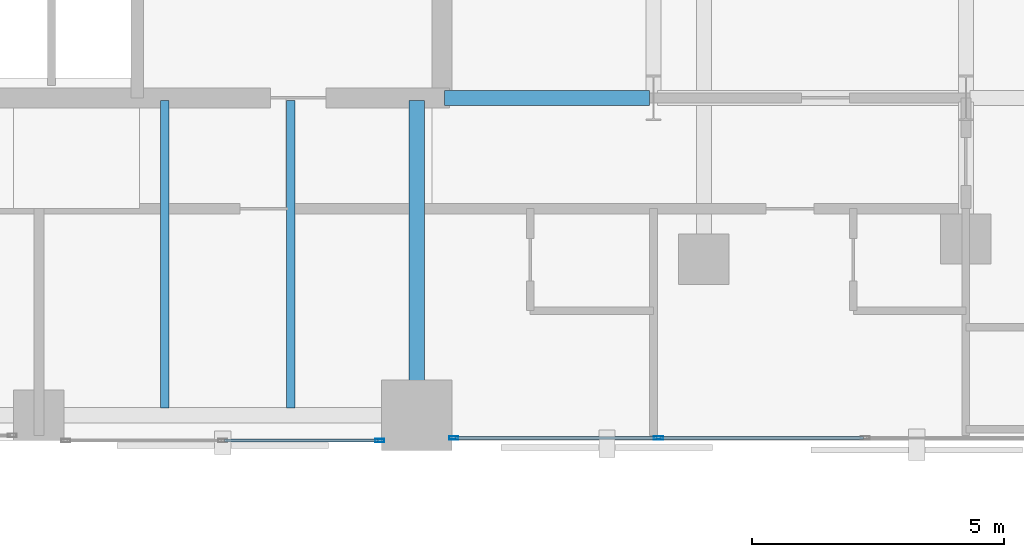
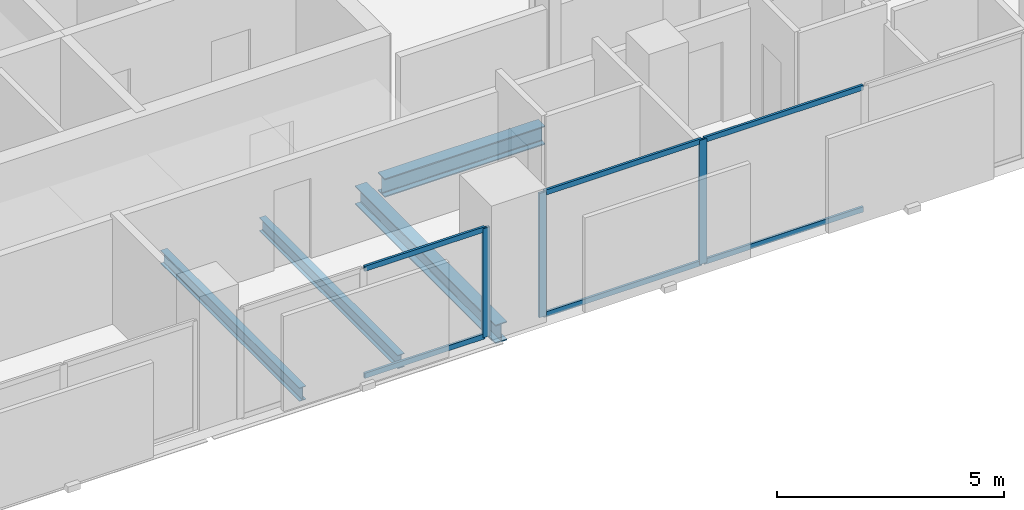
# One storey, part 14 of 31: 9 members, 4 beams, 2 elements without a shape of their own.
"""IFC4 building model written with IfcOpenShell, lengths in metres."""

from ifc_helpers import new_model, si_unit, direction, frame, origin, origin_2d, place, context, subcontext, project, spatial, hollow_rectangle, i_section, extrude, material, layer, layer_set, material_profile, profile_set, type_object, element, aggregate, save


model = new_model("IFC4")

# Units and contexts
model_context = context("Model", 3, precision=1e-05, world=origin(), true_north=direction((0.0, 1.0)))
body_context = subcontext(model_context, "Body", "Model", "MODEL_VIEW")
ifc_project = project(units=[si_unit("LENGTHUNIT", "METRE"), si_unit("AREAUNIT", "SQUARE_METRE"), si_unit("VOLUMEUNIT", "CUBIC_METRE"), si_unit("PLANEANGLEUNIT", "RADIAN"), si_unit("MASSUNIT", "GRAM", prefix="KILO")], contexts=[model_context])

# Site, building, storey
site_placement = place(None, origin())
site = spatial("IfcSite", under=ifc_project, at=site_placement, CompositionType="ELEMENT")
building_placement = place(site_placement, origin())
building = spatial("IfcBuilding", under=site, at=building_placement, Name="Catumbela Crestline Tower", CompositionType="ELEMENT")
storey_placement = place(building_placement, frame((0.0, 0.0, 40.2)))
storey = spatial("IfcBuildingStorey", under=building, at=storey_placement, Name="L09", CompositionType="ELEMENT", Elevation=40.2)

# Beams
ifc_material_1 = material(Name="Structural steel S355J2", Category="steel")
ifc_material_profile_1 = material_profile(ifc_material_1, i_section(OverallWidth=0.3, OverallDepth=0.5, WebThickness=0.0145, FlangeThickness=0.028, FilletRadius=0.027, at=origin_2d()), Name="HEB 500")
ifc_profile_set_1 = profile_set([ifc_material_profile_1], Name="Structural steel S355J2")
beam_type_1 = type_object("IfcBeamType", Name="BG-HEB500", PredefinedType="BEAM", material=ifc_profile_set_1)
beam_1_placement = place(storey_placement, frame((40.05, 30.8, -0.51), z_axis=(1.0, 0.0, 0.0), x_axis=(0.0, 1.0, 0.0)))
element("IfcBeam", 1, at=beam_1_placement, inside=storey, type_object=beam_type_1, Name="L09 Beam BM-L09-M10", PredefinedType="BEAM", context=body_context, shape_type="SweptSolid", body=[
    extrude(i_section(OverallWidth=0.3, OverallDepth=0.5, WebThickness=0.0145, FlangeThickness=0.028, FilletRadius=0.027, at=origin_2d()), origin(), (0.0, 0.0, 1.0), 4.07),
])
beam_2_placement = place(storey_placement, frame((39.5, 24.58, -0.51), z_axis=(0.0, 1.0, 0.0), x_axis=(-1.0, 0.0, 0.0)))
element("IfcBeam", 2, at=beam_2_placement, inside=storey, type_object=beam_type_1, Name="L09 Beam BM-L09-SNS34", PredefinedType="BEAM", context=body_context, shape_type="SweptSolid", body=[
    extrude(i_section(OverallWidth=0.3, OverallDepth=0.5, WebThickness=0.0145, FlangeThickness=0.028, FilletRadius=0.027, at=origin_2d()), origin(), (0.0, 0.0, 1.0), 6.17),
])
ifc_material_profile_2 = material_profile(ifc_material_1, i_section(OverallWidth=0.17, OverallDepth=0.36, WebThickness=0.008, FlangeThickness=0.0127, FilletRadius=0.018, at=origin_2d()), Name="IPE 360")
ifc_profile_set_2 = profile_set([ifc_material_profile_2], Name="Structural steel S355J2")
beam_type_2 = type_object("IfcBeamType", Name="BJ-IPE360", PredefinedType="JOIST", material=ifc_profile_set_2)
for number, where, z_axis, x_axis, name in (
    (3, (34.5, 24.647, -0.44), (0.0, 1.0, 0.0), (-1.0, 0.0, 0.0), "L09 Joist JS-L09-SP46"),
    (4, (37.0, 24.647, -0.44), (0.0, 1.0, 0.0), (-1.0, 0.0, 0.0), "L09 Joist JS-L09-SP47"),
):
    element("IfcBeam", number, at=place(storey_placement, frame(where, z_axis=z_axis, x_axis=x_axis)), inside=storey, type_object=beam_type_2, Name=name, PredefinedType="JOIST", context=body_context, shape_type="SweptSolid", body=[
        extrude(i_section(OverallWidth=0.17, OverallDepth=0.36, WebThickness=0.008, FlangeThickness=0.0127, FilletRadius=0.018, at=origin_2d()), origin(), (0.0, 0.0, 1.0), 6.103),
    ])

# Curtain wall, member
ifc_material_2 = material(Name="Aluminium alloy AW-6060-T66", Category="aluminium")
ifc_layer = layer(ifc_material_2, 0.18, Name="Aluminium alloy AW-6060-T66")
ifc_layer_set = layer_set([ifc_layer], Name="Aluminium alloy AW-6060-T66")
curtain_wall_type = type_object("IfcCurtainWallType", Name="CWU-Z1", PredefinedType="USERDEFINED", material=ifc_layer_set)
curtain_wall_1_placement = place(storey_placement, origin())
curtain_wall_1 = element("IfcCurtainWall", 5, at=curtain_wall_1_placement, inside=storey, type_object=curtain_wall_type, Name="L09 Unitised Curtain Wall CW-L09-E3S2", ObjectType="UNITISED", PredefinedType="USERDEFINED")
ifc_material_profile_3 = material_profile(ifc_material_2, hollow_rectangle(XDim=0.065, YDim=0.18, WallThickness=0.004, at=origin_2d()), Name="ALU 180x65x4")
ifc_profile_set_3 = profile_set([ifc_material_profile_3], Name="Aluminium alloy AW-6060-T66")
member_type_1 = type_object("IfcMemberType", Name="MUL-180X65", PredefinedType="MULLION", material=ifc_profile_set_3)
member_1_placement = place(storey_placement, frame((38.7675, 24.0, 0.0), z_axis=(0.0, 0.0, 1.0), x_axis=(0.0, 1.0, 0.0)))
member_1 = element("IfcMember", 6, at=member_1_placement, type_object=member_type_1, Name="CWU-Z1 mullion 3", PredefinedType="MULLION", context=body_context, shape_type="SweptSolid", body=[
    extrude(hollow_rectangle(XDim=0.065, YDim=0.18, WallThickness=0.004, at=origin_2d()), origin(), (0.0, 0.0, 1.0), 2.93),
])

# Curtain wall, members
curtain_wall_2_placement = place(storey_placement, origin())
curtain_wall_2 = element("IfcCurtainWall", 7, at=curtain_wall_2_placement, inside=storey, type_object=curtain_wall_type, Name="L09 Unitised Curtain Wall CW-L09-E3S3", ObjectType="UNITISED", PredefinedType="USERDEFINED")
member_2_placement = place(storey_placement, frame((40.2325, 24.05, 0.0), z_axis=(0.0, 0.0, 1.0), x_axis=(0.0, 1.0, 0.0)))
member_2 = element("IfcMember", 8, at=member_2_placement, type_object=member_type_1, Name="CWU-Z1 mullion 1", PredefinedType="MULLION", context=body_context, shape_type="SweptSolid", body=[
    extrude(hollow_rectangle(XDim=0.065, YDim=0.18, WallThickness=0.004, at=origin_2d()), origin(), (0.0, 0.0, 1.0), 3.33),
])
member_3_placement = place(storey_placement, frame((44.3, 24.05, 0.0), z_axis=(0.0, 0.0, 1.0), x_axis=(0.0, 1.0, 0.0)))
member_3 = element("IfcMember", 9, at=member_3_placement, type_object=member_type_1, Name="CWU-Z1 mullion 2", PredefinedType="MULLION", context=body_context, shape_type="SweptSolid", body=[
    extrude(hollow_rectangle(XDim=0.065, YDim=0.18, WallThickness=0.004, at=origin_2d()), origin(), (0.0, 0.0, 1.0), 3.33),
])

# Member
ifc_material_profile_4 = material_profile(ifc_material_2, hollow_rectangle(XDim=0.06, YDim=0.14, WallThickness=0.004, at=origin_2d()), Name="ALU 140x60x4")
ifc_profile_set_4 = profile_set([ifc_material_profile_4], Name="Aluminium alloy AW-6060-T66")
member_type_2 = type_object("IfcMemberType", Name="TRN-140X60", PredefinedType="USERDEFINED", material=ifc_profile_set_4)
member_4_placement = place(storey_placement, frame((35.6825, 24.0, 0.03), z_axis=(1.0, 0.0, 0.0), x_axis=(0.0, 1.0, 0.0)))
member_4 = element("IfcMember", 10, at=member_4_placement, type_object=member_type_2, Name="CWU-Z1 transom 2.1", ObjectType="TRANSOM", PredefinedType="USERDEFINED", context=body_context, shape_type="SweptSolid", body=[
    extrude(hollow_rectangle(XDim=0.06, YDim=0.14, WallThickness=0.004, at=origin_2d()), origin(), (0.0, 0.0, 1.0), 3.0525),
])

member_5_placement = place(storey_placement, frame((35.6825, 24.0, 2.9), z_axis=(1.0, 0.0, 0.0), x_axis=(0.0, 1.0, 0.0)))
member_5 = element("IfcMember", 11, at=member_5_placement, type_object=member_type_2, Name="CWU-Z1 transom 2.2", ObjectType="TRANSOM", PredefinedType="USERDEFINED", context=body_context, shape_type="SweptSolid", body=[
    extrude(hollow_rectangle(XDim=0.06, YDim=0.14, WallThickness=0.004, at=origin_2d()), origin(), (0.0, 0.0, 1.0), 3.0525),
])

aggregate(curtain_wall_1, [member_1, member_4, member_5])

member_6_placement = place(storey_placement, frame((40.265, 24.05, 0.03), z_axis=(1.0, 0.0, 0.0), x_axis=(0.0, 1.0, 0.0)))
member_6 = element("IfcMember", 12, at=member_6_placement, type_object=member_type_2, Name="CWU-Z1 transom 1.1", ObjectType="TRANSOM", PredefinedType="USERDEFINED", context=body_context, shape_type="SweptSolid", body=[
    extrude(hollow_rectangle(XDim=0.06, YDim=0.14, WallThickness=0.004, at=origin_2d()), origin(), (0.0, 0.0, 1.0), 4.0025),
])

member_7_placement = place(storey_placement, frame((40.265, 24.05, 3.3), z_axis=(1.0, 0.0, 0.0), x_axis=(0.0, 1.0, 0.0)))
member_7 = element("IfcMember", 13, at=member_7_placement, type_object=member_type_2, Name="CWU-Z1 transom 1.2", ObjectType="TRANSOM", PredefinedType="USERDEFINED", context=body_context, shape_type="SweptSolid", body=[
    extrude(hollow_rectangle(XDim=0.06, YDim=0.14, WallThickness=0.004, at=origin_2d()), origin(), (0.0, 0.0, 1.0), 4.0025),
])

member_8_placement = place(storey_placement, frame((44.3325, 24.05, 0.03), z_axis=(1.0, 0.0, 0.0), x_axis=(0.0, 1.0, 0.0)))
member_8 = element("IfcMember", 14, at=member_8_placement, type_object=member_type_2, Name="CWU-Z1 transom 2.1", ObjectType="TRANSOM", PredefinedType="USERDEFINED", context=body_context, shape_type="SweptSolid", body=[
    extrude(hollow_rectangle(XDim=0.06, YDim=0.14, WallThickness=0.004, at=origin_2d()), origin(), (0.0, 0.0, 1.0), 4.035),
])

member_9_placement = place(storey_placement, frame((44.3325, 24.05, 3.3), z_axis=(1.0, 0.0, 0.0), x_axis=(0.0, 1.0, 0.0)))
member_9 = element("IfcMember", 15, at=member_9_placement, type_object=member_type_2, Name="CWU-Z1 transom 2.2", ObjectType="TRANSOM", PredefinedType="USERDEFINED", context=body_context, shape_type="SweptSolid", body=[
    extrude(hollow_rectangle(XDim=0.06, YDim=0.14, WallThickness=0.004, at=origin_2d()), origin(), (0.0, 0.0, 1.0), 4.035),
])

aggregate(curtain_wall_2, [member_2, member_3, member_6, member_7, member_8, member_9])

save(model, "model.ifc")
